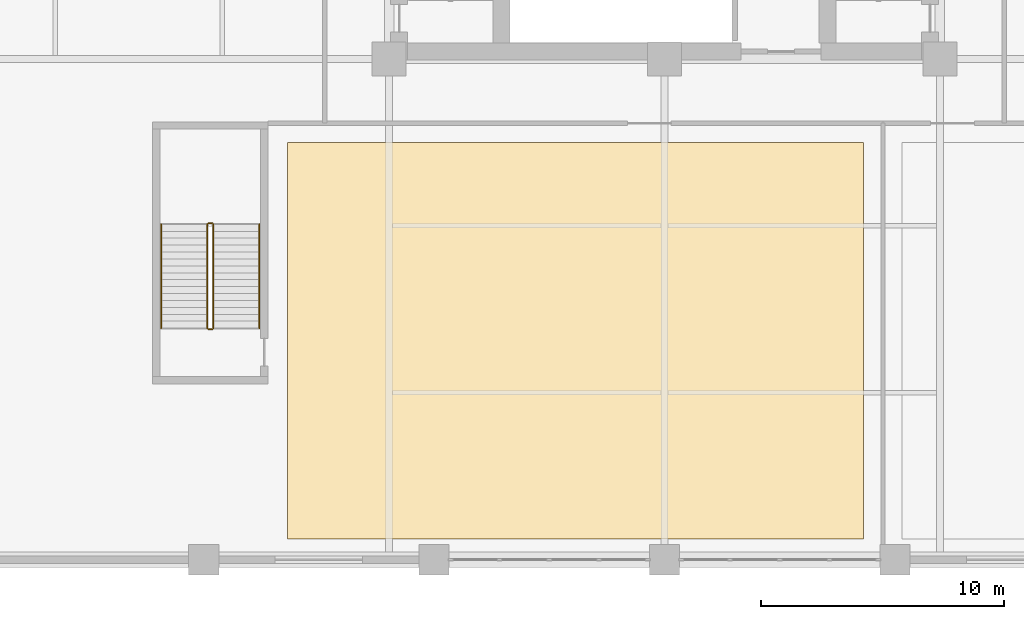
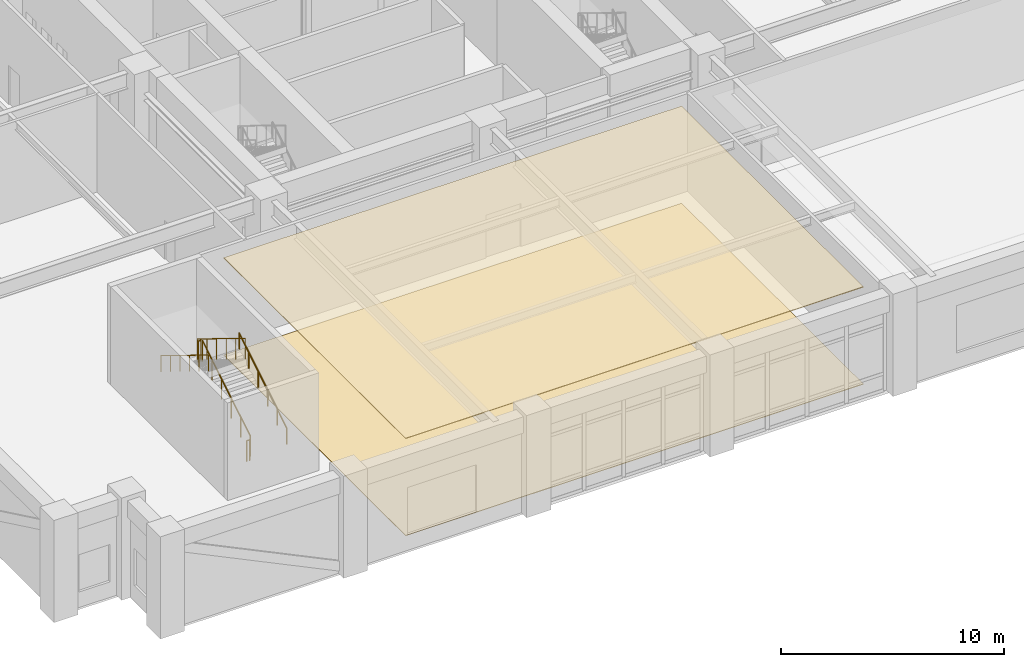
# One storey, part 16 of 21: 6 railings, 2 coverings.
"""IFC4 building model written with IfcOpenShell, lengths in metres."""

import ifcopenshell
import ifcopenshell.guid

model = None  # the IFC model being written
_history = None  # IfcOwnerHistory: only IFC2X3 demands one
_inside = {}  # id of a spatial element -> (the spatial element, [elements in it])
_under = {}  # id of a project, library or spatial element -> (it, [spatial elements below it])
_declared = {}  # id of a project -> (the project, [libraries it declares])
_typed = {}  # id of a type object -> (the type object, [elements of that type])
_made_of = {}  # id of a material, layer set ... -> (it, [elements and type objects made of it])


def new_model(schema):
    """Start an empty IFC model of exactly this schema.

    Asked for "IFC4X3", IfcOpenShell would pick the latest addendum, in which some entities
    have other attributes; the version numbers below select the first issue.
    IFC2X3 requires an IfcOwnerHistory on every rooted entity: one is made here for all.
    """
    global model, _history
    if schema == "IFC4X3":
        model = ifcopenshell.file(schema_version=(4, 3, 0, 0))
    else:
        model = ifcopenshell.file(schema=schema)
    _inside.clear()
    _under.clear()
    _declared.clear()
    _typed.clear()
    _made_of.clear()
    _history = None
    if model.schema == "IFC2X3":
        org = make("IfcOrganization", Name="unknown")
        user = make(
            "IfcPersonAndOrganization",
            ThePerson=make("IfcPerson", FamilyName="unknown"),
            TheOrganization=org,
        )
        app = make(
            "IfcApplication",
            ApplicationDeveloper=org,
            Version="unknown",
            ApplicationFullName="unknown",
            ApplicationIdentifier="unknown",
        )
        _history = make(
            "IfcOwnerHistory",
            OwningUser=user,
            OwningApplication=app,
            ChangeAction="ADDED",
            CreationDate=0,
        )
    return model


def make(cls, **values):
    """One entity of the class cls with the attributes given. An attribute that is None is left unset."""
    return model.create_entity(
        cls, **{name: value for name, value in values.items() if value is not None}
    )


def rooted(cls, **values):
    """An entity with a GlobalId (a new one), such as an element, a storey or a relation."""
    return make(cls, GlobalId=ifcopenshell.guid.new(), OwnerHistory=_history, **values)


def si_unit(unit_type, name, prefix=None):
    """IfcSIUnit, for example si_unit("LENGTHUNIT", "METRE", prefix="MILLI")."""
    return make("IfcSIUnit", UnitType=unit_type, Prefix=prefix, Name=name)


def assignment(units):
    """IfcUnitAssignment: the units of a project."""
    return None if units is None else make("IfcUnitAssignment", Units=units)


def point(xyz):
    """IfcCartesianPoint."""
    return None if xyz is None else make("IfcCartesianPoint", Coordinates=xyz)


def direction(xyz):
    """IfcDirection."""
    return None if xyz is None else make("IfcDirection", DirectionRatios=xyz)


def frame(location, z_axis=None, x_axis=None):
    """IfcAxis2Placement3D, a coordinate frame: its origin and axes. An axis left out is left unset."""
    return make(
        "IfcAxis2Placement3D",
        Location=point(location),
        Axis=direction(z_axis),
        RefDirection=direction(x_axis),
    )


def frame_2d(location, x_axis=None):
    """IfcAxis2Placement2D, a coordinate frame in the plane: its origin and x axis."""
    return make(
        "IfcAxis2Placement2D", Location=point(location), RefDirection=direction(x_axis)
    )


def origin():
    """The frame at (0, 0, 0) with its axes left unset."""
    return frame((0.0, 0.0, 0.0))


def origin_2d():
    """The frame at (0, 0) in the plane with its x axis left unset."""
    return frame_2d((0.0, 0.0))


def place(relative_to, where):
    """IfcLocalPlacement: puts the frame where relative to a parent placement (None: the world)."""
    return make(
        "IfcLocalPlacement", PlacementRelTo=relative_to, RelativePlacement=where
    )


def context(
    kind, dimensions, precision=None, world=None, true_north=None, identifier=None
):
    """IfcGeometricRepresentationContext, for example the 3D "Model" context."""
    return make(
        "IfcGeometricRepresentationContext",
        ContextIdentifier=identifier,
        ContextType=kind,
        CoordinateSpaceDimension=dimensions,
        Precision=precision,
        WorldCoordinateSystem=world,
        TrueNorth=true_north,
    )


def subcontext(parent, identifier, kind, view, scale=None):
    """IfcGeometricRepresentationSubContext, for example "Body" below "Model"."""
    return make(
        "IfcGeometricRepresentationSubContext",
        ContextIdentifier=identifier,
        ContextType=kind,
        ParentContext=parent,
        TargetScale=scale,
        TargetView=view,
    )


def project(units=None, contexts=None):
    """IfcProject with its units and contexts."""
    return rooted(
        "IfcProject",
        Name="project",
        RepresentationContexts=contexts,
        UnitsInContext=assignment(units),
    )


def spatial(cls, under=None, at=None, **own):
    """A site, building, storey or space (cls), placed at a placement, below another one or the project."""
    s = rooted(cls, ObjectPlacement=at, **own)
    if under is not None:
        _under.setdefault(under.id(), (under, []))[1].append(s)
    return s


def polyline(points):
    """IfcPolyline through the points."""
    return make("IfcPolyline", Points=[point(p) for p in points])


def profile(cls, at=None, kind="AREA", **sizes):
    """A parametric profile (cls). Its sizes go by their IFC names, for example OverallWidth=200.0."""
    return make(cls, ProfileType=kind, Position=at, **sizes)


def circle(**sizes):
    """IfcCircleProfileDef."""
    return profile("IfcCircleProfileDef", **sizes)


def outline(outer, holes=None, kind="AREA"):
    """IfcArbitraryClosedProfileDef: a profile drawn as a closed curve; with holes, ...WithVoids."""
    if holes is None:
        return make("IfcArbitraryClosedProfileDef", ProfileType=kind, OuterCurve=outer)
    return make(
        "IfcArbitraryProfileDefWithVoids",
        ProfileType=kind,
        OuterCurve=outer,
        InnerCurves=holes,
    )


def extrude(swept, where, along, depth):
    """IfcExtrudedAreaSolid: the profile swept, set in the frame where, extruded along a direction by depth."""
    return make(
        "IfcExtrudedAreaSolid",
        SweptArea=swept,
        Position=where,
        ExtrudedDirection=direction(along),
        Depth=depth,
    )


def shape(context_of_items, identifier, shape_type, items):
    """IfcShapeRepresentation: the items that make up one representation, for example the "Body"."""
    return make(
        "IfcShapeRepresentation",
        ContextOfItems=context_of_items,
        RepresentationIdentifier=identifier,
        RepresentationType=shape_type,
        Items=items,
    )


def material(Name=None, Category=None):
    """IfcMaterial."""
    return make("IfcMaterial", Name=Name, Category=Category)


def layer(
    of_material, thickness, ventilated=None, Name=None, Category=None, Priority=None
):
    """IfcMaterialLayer: one layer of a wall or slab, of a material (None: an air gap)."""
    return make(
        "IfcMaterialLayer",
        Material=of_material,
        LayerThickness=thickness,
        IsVentilated=ventilated,
        Name=Name,
        Category=Category,
        Priority=Priority,
    )


def layer_set(layers, Name=None):
    """IfcMaterialLayerSet."""
    return make("IfcMaterialLayerSet", MaterialLayers=layers, LayerSetName=Name)


def made_of(thing, what):
    """Note that an element or type object is made of a material, layer set ...; save() writes the relation."""
    if what is not None:
        _made_of.setdefault(what.id(), (what, []))[1].append(thing)
    return thing


def type_object(cls, material=None, **own):
    """A type object (cls), such as IfcWallType, which elements share."""
    return made_of(rooted(cls, **own), material)


def element(
    cls,
    number,
    at=None,
    inside=None,
    cuts=None,
    type_object=None,
    material=None,
    context=None,
    identifier="Body",
    shape_type=None,
    held_by="IfcProductDefinitionShape",
    body=None,
    shapes=None,
    **own,
):
    """One element of the class cls, such as IfcWall. Its Tag is "e" and its number.

    at: its placement. inside: the storey or other place that contains it. cuts: it is an
    opening in that element (IfcRelVoidsElement). A single representation is given by context,
    identifier, shape_type and body (its items); several are given by shapes. held_by: the class
    of the entity that holds the representations. save() writes the other relations.
    """
    e = rooted(cls, Tag="e%d" % number, ObjectPlacement=at, **own)
    if body is not None:
        shapes = [shape(context, identifier, shape_type, body)]
    if shapes is not None:
        e.Representation = make(held_by, Representations=shapes)
    if inside is not None:
        _inside.setdefault(inside.id(), (inside, []))[1].append(e)
    if cuts is not None:
        rooted(
            "IfcRelVoidsElement", RelatingBuildingElement=cuts, RelatedOpeningElement=e
        )
    if type_object is not None:
        _typed.setdefault(type_object.id(), (type_object, []))[1].append(e)
    return made_of(e, material)


def aggregate(whole, parts):
    """IfcRelAggregates: a whole, such as a stair, and the parts it consists of."""
    return rooted("IfcRelAggregates", RelatingObject=whole, RelatedObjects=parts)


def save(model, path):
    """Write the relations noted so far, then the file.

    IfcRelAggregates (storeys below a building ...), IfcRelContainedInSpatialStructure (elements
    in a storey), IfcRelDefinesByType, IfcRelAssociatesMaterial and IfcRelDeclares: one each for
    every whole, place, type object, material and project.
    """
    for whole, parts in _under.values():
        aggregate(whole, parts)
    for where, things in _inside.values():
        rooted(
            "IfcRelContainedInSpatialStructure",
            RelatedElements=things,
            RelatingStructure=where,
        )
    for kind, things in _typed.values():
        rooted("IfcRelDefinesByType", RelatedObjects=things, RelatingType=kind)
    for what, things in _made_of.values():
        rooted("IfcRelAssociatesMaterial", RelatedObjects=things, RelatingMaterial=what)
    for by, libraries in _declared.values():
        rooted("IfcRelDeclares", RelatingContext=by, RelatedDefinitions=libraries)
    model.write(path)


model = new_model("IFC4")

# Units and contexts
model_context = context("Model", 3, precision=1e-05, world=origin(), true_north=direction((0.0, 1.0)))
body_context = subcontext(model_context, "Body", "Model", "MODEL_VIEW")
ifc_project = project(units=[si_unit("LENGTHUNIT", "METRE"), si_unit("AREAUNIT", "SQUARE_METRE"), si_unit("VOLUMEUNIT", "CUBIC_METRE"), si_unit("PLANEANGLEUNIT", "RADIAN"), si_unit("MASSUNIT", "GRAM", prefix="KILO")], contexts=[model_context])

# Site, building, storey
site_placement = place(None, origin())
site = spatial("IfcSite", under=ifc_project, at=site_placement, CompositionType="ELEMENT")
building_placement = place(site_placement, origin())
building = spatial("IfcBuilding", under=site, at=building_placement, Name="Nhamokura Convention Tower", CompositionType="ELEMENT")
storey_placement = place(building_placement, frame((0.0, 0.0, 12.25)))
storey = spatial("IfcBuildingStorey", under=building, at=storey_placement, Name="L02", CompositionType="ELEMENT", Elevation=12.25)

# Coverings
ifc_material_1 = material(Name="Anodised bronze aluminium ceiling baffle", Category="aluminium")
ifc_layer_1 = layer(ifc_material_1, 0.0400390625)
ifc_layer_set_1 = layer_set([ifc_layer_1], Name="BronzeBaffleCeiling_40")
covering_type_1 = type_object("IfcCoveringType", Name="BronzeBaffleCeiling_40", PredefinedType="CEILING", material=ifc_layer_set_1)
covering_1_placement = place(storey_placement, frame((0.0, 0.0, 5.320068359375)))
element("IfcCovering", 1, at=covering_1_placement, inside=storey, type_object=covering_type_1, Name="L02 Suspended Ceiling 03", PredefinedType="CEILING", context=body_context, shape_type="SweptSolid", body=[
    extrude(outline(polyline([(16.449951171875, 0.860107421875), (40.199951171875, 0.860107421875), (40.199951171875, 17.199951171875), (16.449951171875, 17.199951171875), (16.449951171875, 0.860107421875)])), origin(), (0.0, 0.0, 1.0), 0.0400390625),
])
ifc_material_2 = material(Name="Polished Sabana granite terrazzo", Category="masonry")
ifc_layer_2 = layer(ifc_material_2, 0.030029296875)
ifc_layer_set_2 = layer_set([ifc_layer_2], Name="SabanaTerrazzoFlooring_30")
covering_type_2 = type_object("IfcCoveringType", Name="SabanaTerrazzoFlooring_30", PredefinedType="FLOORING", material=ifc_layer_set_2)
covering_2_placement = place(storey_placement, origin())
element("IfcCovering", 2, at=covering_2_placement, inside=storey, type_object=covering_type_2, Name="L02 Finish Flooring 03", PredefinedType="FLOORING", context=body_context, shape_type="SweptSolid", body=[
    extrude(outline(polyline([(16.449951171875, 0.860107421875), (40.199951171875, 0.860107421875), (40.199951171875, 17.199951171875), (16.449951171875, 17.199951171875), (16.449951171875, 0.860107421875)])), origin(), (0.0, 0.0, 1.0), 0.030029296875),
])

# Railings
ifc_material_3 = material(Name="Anodised bronze stainless steel", Category="steel")
railing_type_1 = type_object("IfcRailingType", Name="StairWallHandrail_900", PredefinedType="HANDRAIL", material=ifc_material_3)
railing_1_placement = place(storey_placement, frame((15.300048828125, 9.550048828125, 0.175048828125)))
element("IfcRailing", 3, at=railing_1_placement, inside=storey, type_object=railing_type_1, Name="L02 ST-04 stair handrail 1", PredefinedType="HANDRAIL", context=body_context, shape_type="SweptSolid", body=[
    extrude(circle(Radius=0.02392578125, at=origin_2d()), frame((0.0, 0.0, 0.8759765625), z_axis=(0.0, 0.852165895541, 0.523271713813), x_axis=(-1.0, 0.0, 0.0)), (0.0, 0.0, 1.0), 5.0166015625),
    extrude(circle(Radius=0.02099609375, at=origin_2d()), origin(), (0.0, 0.0, 1.0), 0.851806640625),
    extrude(circle(Radius=0.02099609375, at=origin_2d()), frame((0.0, 0.85498046875, 0.52490234375)), (0.0, 0.0, 1.0), 0.851806640625),
    extrude(circle(Radius=0.02099609375, at=origin_2d()), frame((0.0, 1.7099609375, 1.050048828125)), (0.0, 0.0, 1.0), 0.851806640625),
    extrude(circle(Radius=0.02099609375, at=origin_2d()), frame((0.0, 2.56494140625, 1.574951171875)), (0.0, 0.0, 1.0), 0.851806640625),
    extrude(circle(Radius=0.02099609375, at=origin_2d()), frame((0.0, 3.419921875, 2.10009765625)), (0.0, 0.0, 1.0), 0.851806640625),
    extrude(circle(Radius=0.02099609375, at=origin_2d()), frame((0.0, 4.27490234375, 2.625)), (0.0, 0.0, 1.0), 0.851806640625),
])
railing_2_placement = place(storey_placement, frame((11.25, 13.824951171875, 2.97509765625)))
element("IfcRailing", 4, at=railing_2_placement, inside=storey, type_object=railing_type_1, Name="L02 ST-04 stair handrail 2", PredefinedType="HANDRAIL", context=body_context, shape_type="SweptSolid", body=[
    extrude(circle(Radius=0.02392578125, at=origin_2d()), frame((0.0, 0.0, 0.8759765625), z_axis=(0.0, -0.852165895541, 0.523271713813), x_axis=(1.0, 0.0, 0.0)), (0.0, 0.0, 1.0), 5.0166015625),
    extrude(circle(Radius=0.02099609375, at=origin_2d()), origin(), (0.0, 0.0, 1.0), 0.851806640625),
    extrude(circle(Radius=0.02099609375, at=origin_2d()), frame((0.0, -0.85498046875, 0.52490234375)), (0.0, 0.0, 1.0), 0.851806640625),
    extrude(circle(Radius=0.02099609375, at=origin_2d()), frame((0.0, -1.7099609375, 1.050048828125)), (0.0, 0.0, 1.0), 0.851806640625),
    extrude(circle(Radius=0.02099609375, at=origin_2d()), frame((0.0, -2.56494140625, 1.574951171875)), (0.0, 0.0, 1.0), 0.851806640625),
    extrude(circle(Radius=0.02099609375, at=origin_2d()), frame((0.0, -3.419921875, 2.10009765625)), (0.0, 0.0, 1.0), 0.851806640625),
    extrude(circle(Radius=0.02099609375, at=origin_2d()), frame((0.0, -4.27490234375, 2.625)), (0.0, 0.0, 1.0), 0.851806640625),
])
ifc_material_4 = material(Name="Painted tubular steel", Category="steel")
railing_type_2 = type_object("IfcRailingType", Name="StairWellGuardrail_1150", PredefinedType="GUARDRAIL", material=ifc_material_4)
railing_3_placement = place(storey_placement, frame((13.39990234375, 9.550048828125, 0.175048828125)))
element("IfcRailing", 5, at=railing_3_placement, inside=storey, type_object=railing_type_2, Name="L02 ST-04 stair guard 1", PredefinedType="GUARDRAIL", context=body_context, shape_type="SweptSolid", body=[
    extrude(circle(Radius=0.02392578125, at=origin_2d()), frame((0.0, 0.0, 1.1259765625), z_axis=(0.0, 0.852165895541, 0.523271713813), x_axis=(-1.0, 0.0, 0.0)), (0.0, 0.0, 1.0), 5.0166015625),
    extrude(circle(Radius=0.02099609375, at=origin_2d()), origin(), (0.0, 0.0, 1.0), 1.101806640625),
    extrude(circle(Radius=0.02099609375, at=origin_2d()), frame((0.0, 0.85498046875, 0.52490234375)), (0.0, 0.0, 1.0), 1.101806640625),
    extrude(circle(Radius=0.02099609375, at=origin_2d()), frame((0.0, 1.7099609375, 1.050048828125)), (0.0, 0.0, 1.0), 1.101806640625),
    extrude(circle(Radius=0.02099609375, at=origin_2d()), frame((0.0, 2.56494140625, 1.574951171875)), (0.0, 0.0, 1.0), 1.101806640625),
    extrude(circle(Radius=0.02099609375, at=origin_2d()), frame((0.0, 3.419921875, 2.10009765625)), (0.0, 0.0, 1.0), 1.101806640625),
    extrude(circle(Radius=0.02099609375, at=origin_2d()), frame((0.0, 4.27490234375, 2.625)), (0.0, 0.0, 1.0), 1.101806640625),
])
railing_4_placement = place(storey_placement, frame((13.35009765625, 13.875, 2.800048828125)))
element("IfcRailing", 6, at=railing_4_placement, inside=storey, type_object=railing_type_2, Name="L02 ST-04 stair guard 2", PredefinedType="GUARDRAIL", context=body_context, shape_type="SweptSolid", body=[
    extrude(circle(Radius=0.02392578125, at=origin_2d()), frame((0.0, 0.0, 1.1259765625), z_axis=(-1.0, 0.0, 0.0), x_axis=(0.0, -1.0, 0.0)), (0.0, 0.0, 1.0), 0.150146484375),
    extrude(circle(Radius=0.02099609375, at=origin_2d()), origin(), (0.0, 0.0, 1.0), 1.101806640625),
    extrude(circle(Radius=0.02099609375, at=origin_2d()), frame((-0.150146484375, 0.0, 0.0)), (0.0, 0.0, 1.0), 1.101806640625),
])
railing_5_placement = place(storey_placement, frame((13.14990234375, 13.824951171875, 2.97509765625)))
element("IfcRailing", 7, at=railing_5_placement, inside=storey, type_object=railing_type_2, Name="L02 ST-04 stair guard 3", PredefinedType="GUARDRAIL", context=body_context, shape_type="SweptSolid", body=[
    extrude(circle(Radius=0.02392578125, at=origin_2d()), frame((0.0, 0.0, 1.1259765625), z_axis=(0.0, -0.852165895541, 0.523271713813), x_axis=(1.0, 0.0, 0.0)), (0.0, 0.0, 1.0), 5.0166015625),
    extrude(circle(Radius=0.02099609375, at=origin_2d()), origin(), (0.0, 0.0, 1.0), 1.101806640625),
    extrude(circle(Radius=0.02099609375, at=origin_2d()), frame((0.0, -0.85498046875, 0.52490234375)), (0.0, 0.0, 1.0), 1.101806640625),
    extrude(circle(Radius=0.02099609375, at=origin_2d()), frame((0.0, -1.7099609375, 1.050048828125)), (0.0, 0.0, 1.0), 1.101806640625),
    extrude(circle(Radius=0.02099609375, at=origin_2d()), frame((0.0, -2.56494140625, 1.574951171875)), (0.0, 0.0, 1.0), 1.101806640625),
    extrude(circle(Radius=0.02099609375, at=origin_2d()), frame((0.0, -3.419921875, 2.10009765625)), (0.0, 0.0, 1.0), 1.101806640625),
    extrude(circle(Radius=0.02099609375, at=origin_2d()), frame((0.0, -4.27490234375, 2.625)), (0.0, 0.0, 1.0), 1.101806640625),
])
railing_6_placement = place(storey_placement, frame((13.35009765625, 9.5, 0.0)))
element("IfcRailing", 8, at=railing_6_placement, inside=storey, type_object=railing_type_2, Name="L02 ST-04 stair guard 4", PredefinedType="GUARDRAIL", context=body_context, shape_type="SweptSolid", body=[
    extrude(circle(Radius=0.02392578125, at=origin_2d()), frame((0.0, 0.0, 1.1259765625), z_axis=(-1.0, 0.0, 0.0), x_axis=(0.0, -1.0, 0.0)), (0.0, 0.0, 1.0), 0.150146484375),
    extrude(circle(Radius=0.02099609375, at=origin_2d()), origin(), (0.0, 0.0, 1.0), 1.101806640625),
    extrude(circle(Radius=0.02099609375, at=origin_2d()), frame((-0.150146484375, 0.0, 0.0)), (0.0, 0.0, 1.0), 1.101806640625),
])

save(model, "model.ifc")
